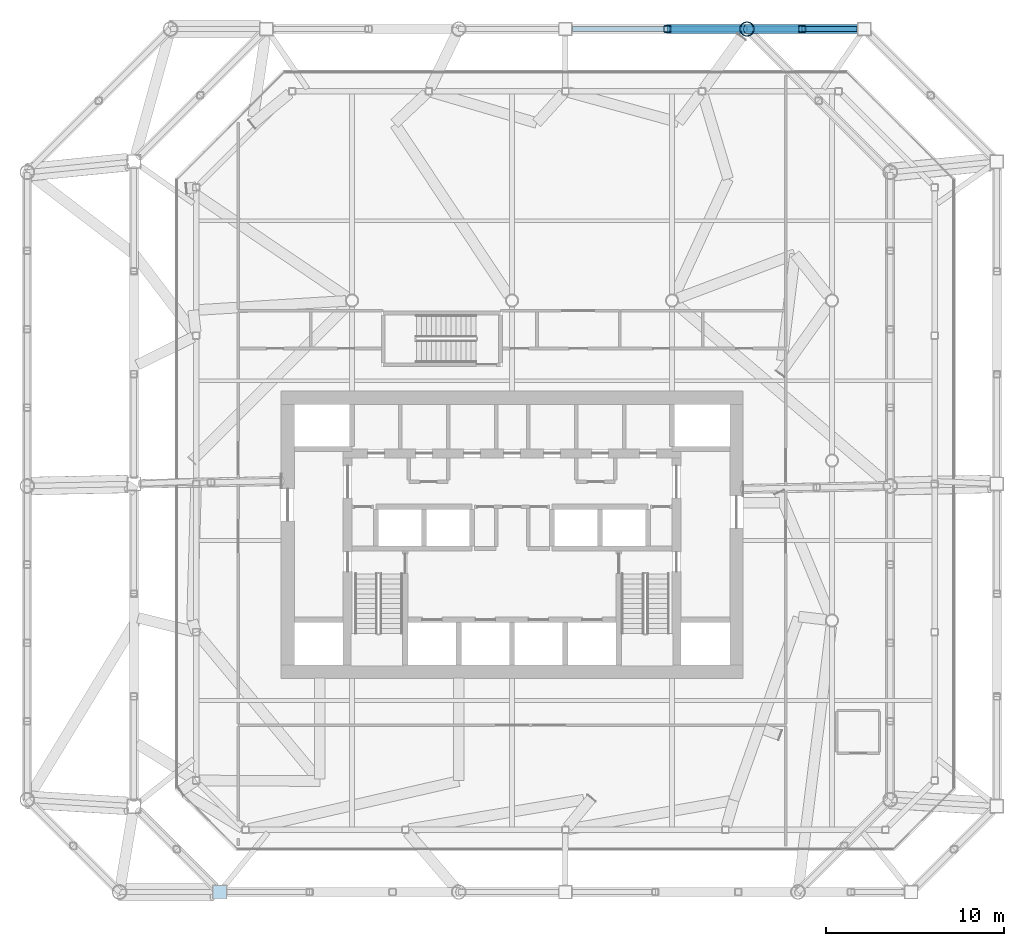
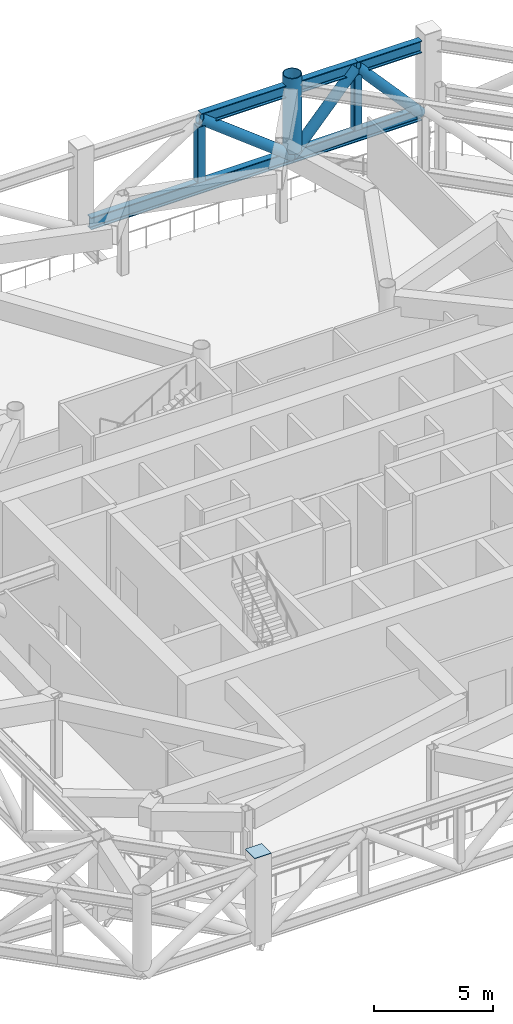
# One storey, part 8 of 21: 6 members, 4 beams, 1 plate.
"""IFC4 building model written with IfcOpenShell, lengths in metres."""

from ifc_helpers import new_model, si_unit, direction, frame, origin, origin_2d, place, context, subcontext, project, spatial, rectangle, hollow_rectangle, hollow_circle, i_section, extrude, material, material_profile, profile_set, type_object, element, save


model = new_model("IFC4")

# Units and contexts
model_context = context("Model", 3, precision=1e-05, world=origin(), true_north=direction((0.0, 1.0)))
body_context = subcontext(model_context, "Body", "Model", "MODEL_VIEW")
ifc_project = project(units=[si_unit("LENGTHUNIT", "METRE"), si_unit("AREAUNIT", "SQUARE_METRE"), si_unit("VOLUMEUNIT", "CUBIC_METRE"), si_unit("PLANEANGLEUNIT", "RADIAN"), si_unit("MASSUNIT", "GRAM", prefix="KILO")], contexts=[model_context])

# Site, building, storey
site_placement = place(None, origin())
site = spatial("IfcSite", under=ifc_project, at=site_placement, CompositionType="ELEMENT")
building_placement = place(site_placement, origin())
building = spatial("IfcBuilding", under=site, at=building_placement, Name="Tskaro Facet Tower", CompositionType="ELEMENT")
storey_placement = place(building_placement, frame((0.0, 0.0, 167.699951171875)))
storey = spatial("IfcBuildingStorey", under=building, at=storey_placement, Name="L41", CompositionType="ELEMENT", Elevation=167.699951171875)

# Members
ifc_material_1 = material(Name="Steel S355J2H", Category="steel")
ifc_material_profile_1 = material_profile(ifc_material_1, hollow_circle(Radius=0.25390625, WallThickness=0.02490234375, at=origin_2d()), Name="CHS 508x25")
ifc_profile_set_1 = profile_set([ifc_material_profile_1], Name="Steel S355J2H")
member_type_1 = type_object("IfcMemberType", Name="CHS 508x25 belt diagonal", PredefinedType="BRACE", material=ifc_profile_set_1)
member_1_placement = place(storey_placement, frame((19.4189453125, 24.27587890625, 0.31005859375), z_axis=(-0.667488766257, 0.0, 0.744619867396), x_axis=(0.0, -1.0, 0.0)))
element("IfcMember", 1, at=member_1_placement, inside=storey, type_object=member_type_1, Name="CHS 508x25 BD3-071", PredefinedType="BRACE", context=body_context, shape_type="SweptSolid", body=[
    extrude(hollow_circle(Radius=0.25390625, WallThickness=0.02490234375, at=origin_2d()), origin(), (0.0, 0.0, 1.0), 4.646728515625),
])
member_2_placement = place(storey_placement, frame((16.3173828125, 24.27587890625, 3.77001953125), z_axis=(-0.667459632563, 0.0, -0.744645982262), x_axis=(0.0, -1.0, 0.0)))
element("IfcMember", 2, at=member_2_placement, inside=storey, type_object=member_type_1, Name="CHS 508x25 BD3-072", PredefinedType="BRACE", context=body_context, shape_type="SweptSolid", body=[
    extrude(hollow_circle(Radius=0.25390625, WallThickness=0.02490234375, at=origin_2d()), origin(), (0.0, 0.0, 1.0), 4.646484375),
])
member_3_placement = place(storey_placement, frame((13.216064453125, 24.27587890625, 0.31005859375), z_axis=(-0.791200531118, 0.0, 0.611556799945), x_axis=(0.0, -1.0, 0.0)))
element("IfcMember", 3, at=member_3_placement, inside=storey, type_object=member_type_1, Name="CHS 508x25 BD3-073", PredefinedType="BRACE", context=body_context, shape_type="SweptSolid", body=[
    extrude(hollow_circle(Radius=0.25390625, WallThickness=0.02490234375, at=origin_2d()), origin(), (0.0, 0.0, 1.0), 5.65771484375),
])
ifc_material_profile_2 = material_profile(ifc_material_1, hollow_circle(Radius=0.406494140625, WallThickness=0.035888671875, at=origin_2d()), Name="CHS 812.8x36")
ifc_profile_set_2 = profile_set([ifc_material_profile_2], Name="Steel S355J2H")
member_type_2 = type_object("IfcMemberType", Name="CHS 812.8x36 transfer node post", PredefinedType="POST", material=ifc_profile_set_2)
member_4_placement = place(storey_placement, frame((13.216064453125, 24.27587890625, 0.6201171875), z_axis=(0.0, 0.0, 1.0), x_axis=(1.0, 0.0, 0.0)))
element("IfcMember", 4, at=member_4_placement, inside=storey, type_object=member_type_2, Name="CHS 812.8x36 TN3-07", PredefinedType="POST", context=body_context, shape_type="SweptSolid", body=[
    extrude(hollow_circle(Radius=0.406494140625, WallThickness=0.035888671875, at=origin_2d()), origin(), (0.0, 0.0, 1.0), 3.8798828125),
])

# Beams
ifc_material_2 = material(Name="Steel S355J2", Category="steel")
ifc_material_profile_3 = material_profile(ifc_material_2, i_section(OverallWidth=0.304931640625, OverallDepth=0.6201171875, WebThickness=0.02099609375, FlangeThickness=0.0400390625, FilletRadius=0.027099609375, at=origin_2d()), Name="HE 600 M")
ifc_profile_set_3 = profile_set([ifc_material_profile_3], Name="Steel S355J2")
beam_type = type_object("IfcBeamType", Name="HE 600 M belt chord", PredefinedType="BEAM", material=ifc_profile_set_3)
beam_1_placement = place(storey_placement, frame((19.4189453125, 24.27587890625, 3.77001953125), z_axis=(-1.0, 0.0, 0.0), x_axis=(0.0, -1.0, 0.0)))
element("IfcBeam", 5, at=beam_1_placement, inside=storey, type_object=beam_type, Name="HE 600 M BT3-07T1", PredefinedType="BEAM", context=body_context, shape_type="SweptSolid", body=[
    extrude(i_section(OverallWidth=0.304931640625, OverallDepth=0.6201171875, WebThickness=0.02099609375, FlangeThickness=0.0400390625, FilletRadius=0.027099609375, at=origin_2d()), origin(), (0.0, 0.0, 1.0), 3.1015625),
])
beam_2_placement = place(storey_placement, frame((16.3173828125, 24.27587890625, 3.77001953125), z_axis=(-1.0, 0.0, 0.0), x_axis=(0.0, -1.0, 0.0)))
element("IfcBeam", 6, at=beam_2_placement, inside=storey, type_object=beam_type, Name="HE 600 M BT3-07T2", PredefinedType="BEAM", context=body_context, shape_type="SweptSolid", body=[
    extrude(i_section(OverallWidth=0.304931640625, OverallDepth=0.6201171875, WebThickness=0.02099609375, FlangeThickness=0.0400390625, FilletRadius=0.027099609375, at=origin_2d()), origin(), (0.0, 0.0, 1.0), 7.57763671875),
])
beam_3_placement = place(storey_placement, frame((19.4189453125, 24.27587890625, 0.31005859375), z_axis=(-1.0, 0.0, 0.0), x_axis=(0.0, -1.0, 0.0)))
element("IfcBeam", 7, at=beam_3_placement, inside=storey, type_object=beam_type, Name="HE 600 M BT3-07B1", PredefinedType="BEAM", context=body_context, shape_type="SweptSolid", body=[
    extrude(i_section(OverallWidth=0.304931640625, OverallDepth=0.6201171875, WebThickness=0.02099609375, FlangeThickness=0.0400390625, FilletRadius=0.027099609375, at=origin_2d()), origin(), (0.0, 0.0, 1.0), 6.202880859375),
])
beam_4_placement = place(storey_placement, frame((13.216064453125, 24.27587890625, 0.31005859375), z_axis=(-1.0, 0.0, 0.0), x_axis=(0.0, -1.0, 0.0)))
element("IfcBeam", 8, at=beam_4_placement, inside=storey, type_object=beam_type, Name="HE 600 M BT3-07B2", PredefinedType="BEAM", context=body_context, shape_type="SweptSolid", body=[
    extrude(i_section(OverallWidth=0.304931640625, OverallDepth=0.6201171875, WebThickness=0.02099609375, FlangeThickness=0.0400390625, FilletRadius=0.027099609375, at=origin_2d()), origin(), (0.0, 0.0, 1.0), 9.816162109375),
])

# Members
ifc_material_profile_4 = material_profile(ifc_material_1, hollow_rectangle(XDim=0.39990234375, YDim=0.39990234375, WallThickness=0.02490234375, InnerFilletRadius=0.03759765625, OuterFilletRadius=0.0625, at=origin_2d()), Name="SHS 400x400x25")
ifc_profile_set_4 = profile_set([ifc_material_profile_4], Name="Steel S355J2H")
member_type_3 = type_object("IfcMemberType", Name="SHS 400x400x25 belt post", PredefinedType="POST", material=ifc_profile_set_4)
for number, where, z_axis, x_axis, name in (
    (9, (16.3173828125, 24.27587890625, 0.6201171875), (0.0, 0.0, 1.0), (1.0, 0.0, 0.0), "SHS 400x400x25 BP3-071"),
    (10, (8.73974609375, 24.27587890625, 0.6201171875), (0.0, 0.0, 1.0), (1.0, 0.0, 0.0), "SHS 400x400x25 BP3-073"),
):
    element("IfcMember", number, at=place(storey_placement, frame(where, z_axis=z_axis, x_axis=x_axis)), inside=storey, type_object=member_type_3, Name=name, PredefinedType="POST", context=body_context, shape_type="SweptSolid", body=[
        extrude(hollow_rectangle(XDim=0.39990234375, YDim=0.39990234375, WallThickness=0.02490234375, InnerFilletRadius=0.03759765625, OuterFilletRadius=0.0625, at=origin_2d()), origin(), (0.0, 0.0, 1.0), 2.83984375),
    ])

# Plate
ifc_material_profile_5 = material_profile(ifc_material_2, rectangle(XDim=0.800048828125, YDim=0.800048828125, at=origin_2d()), Name="PL 800x800x30 end plate")
ifc_profile_set_5 = profile_set([ifc_material_profile_5], Name="Steel S355J2")
plate_type = type_object("IfcPlateType", Name="PL 800x800x30 end plate", PredefinedType="SHEET", material=ifc_profile_set_5)
plate_placement = place(storey_placement, frame((-16.449951171875, -24.27587890625, 4.5), z_axis=(0.0, 0.0, 1.0), x_axis=(1.0, 0.0, 0.0)))
element("IfcPlate", 11, at=plate_placement, inside=storey, type_object=plate_type, Name="End plate CP5-01", PredefinedType="SHEET", context=body_context, shape_type="SweptSolid", body=[
    extrude(rectangle(XDim=0.800048828125, YDim=0.800048828125, at=origin_2d()), origin(), (0.0, 0.0, 1.0), 0.030029296875),
])

save(model, "model.ifc")
